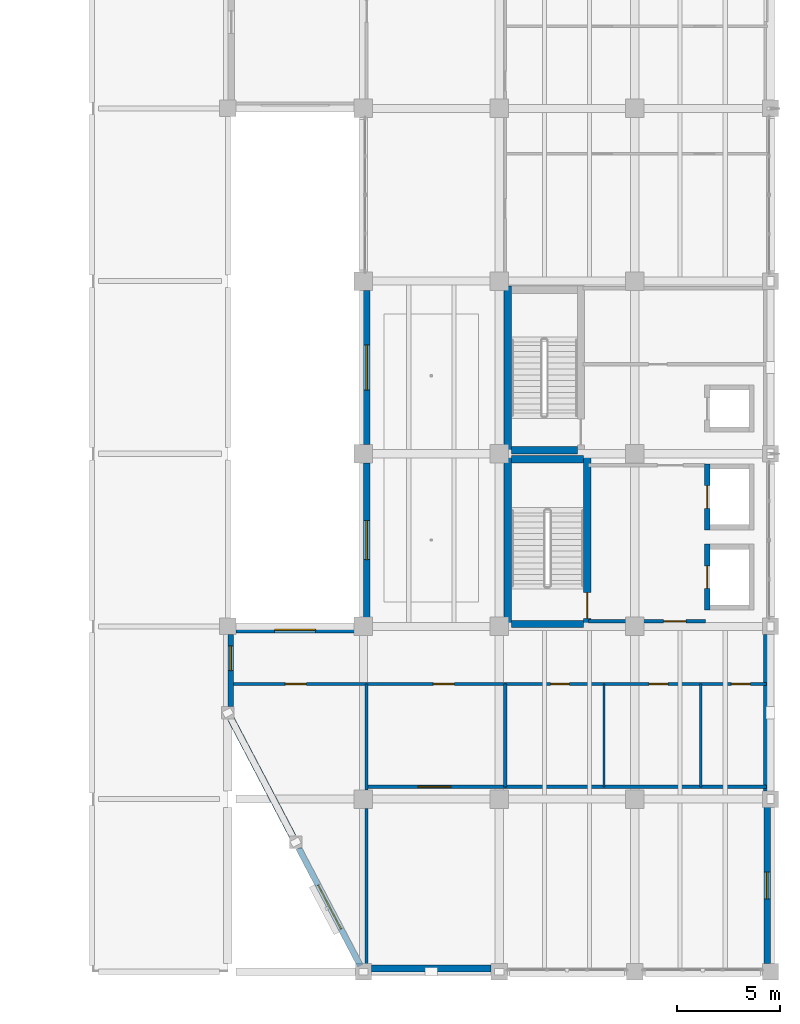
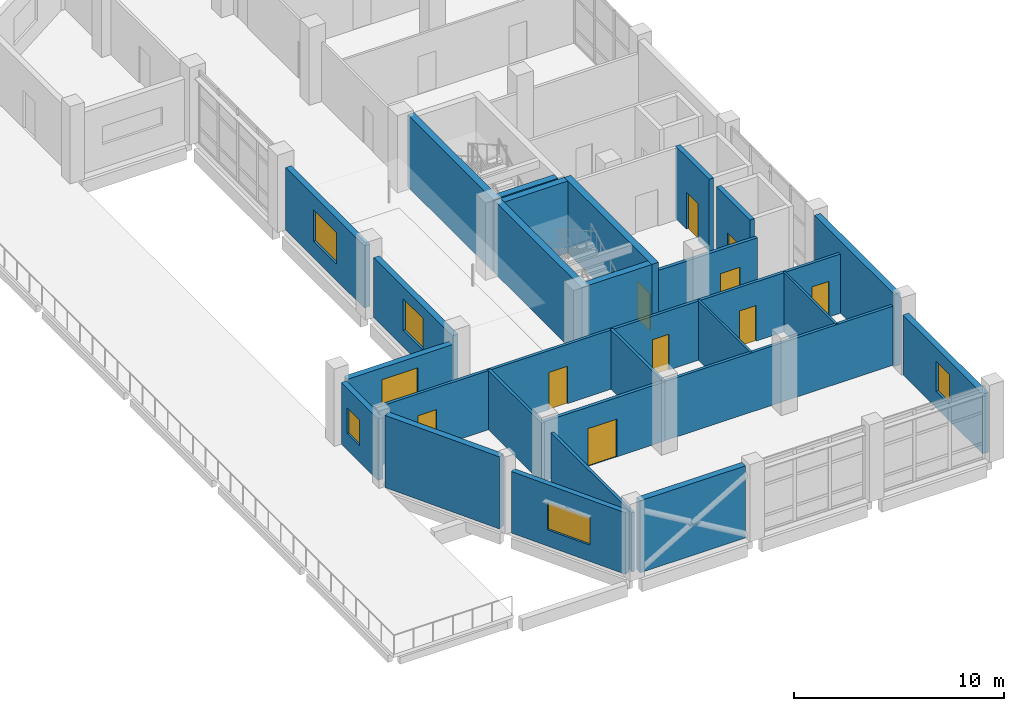
# One storey, part 56 of 83: 27 walls, 10 doors, 6 windows, 16 openings.
"""IFC4 building model written with IfcOpenShell, lengths in metres."""

from ifc_helpers import new_model, si_unit, direction, frame, frame_2d, origin, place, context, subcontext, project, spatial, rectangle, extrude, material, layer, layer_set, type_object, element, fill, save


model = new_model("IFC4")

# Units and contexts
model_context = context("Model", 3, precision=1e-05, world=origin(), true_north=direction((0.0, 1.0)))
body_context = subcontext(model_context, "Body", "Model", "MODEL_VIEW")
ifc_project = project(units=[si_unit("LENGTHUNIT", "METRE"), si_unit("AREAUNIT", "SQUARE_METRE"), si_unit("VOLUMEUNIT", "CUBIC_METRE"), si_unit("PLANEANGLEUNIT", "RADIAN"), si_unit("MASSUNIT", "GRAM", prefix="KILO")], contexts=[model_context])

# Site, building, storey
site_placement = place(None, origin())
site = spatial("IfcSite", under=ifc_project, at=site_placement, CompositionType="ELEMENT")
building_placement = place(site_placement, origin())
building = spatial("IfcBuilding", under=site, at=building_placement, Name="Qaldarim Faculty of Natural and Applied Sciences", CompositionType="ELEMENT")
storey_placement = place(building_placement, frame((0.0, 0.0, 5.39990234375)))
storey = spatial("IfcBuildingStorey", under=building, at=storey_placement, Name="L01", CompositionType="ELEMENT", Elevation=5.39990234375)

# Walls
ifc_material_1 = material(Name="Painted gypsum partition board")
ifc_layer_1 = layer(ifc_material_1, 0.1201171875)
ifc_layer_set_1 = layer_set([ifc_layer_1], Name="Painted gypsum partition board")
wall_type_1 = type_object("IfcWallType", Name="AcousticPartition-120", PredefinedType="PARTITIONING", material=ifc_layer_set_1)
for number, where, z_axis, x_axis, name in (
    (1, (170.10009765625, 9.0, 0.0), (0.0, 0.0, 1.0), (0.0, 1.0, 0.0), "Interior partition PRT-L01-V5-WCD1"),
    (2, (174.800048828125, 9.0, 0.0), (0.0, 0.0, 1.0), (0.0, 1.0, 0.0), "Interior partition PRT-L01-V5-WCD2"),
):
    element("IfcWall", number, at=place(storey_placement, frame(where, z_axis=z_axis, x_axis=x_axis)), inside=storey, type_object=wall_type_1, Name=name, PredefinedType="PARTITIONING", context=body_context, shape_type="SweptSolid", body=[
        extrude(rectangle(XDim=5.0, YDim=0.1201171875, at=frame_2d((2.5, 0.0))), origin(), (0.0, 0.0, 1.0), 3.4501953125),
    ])
ifc_material_2 = material(Name="Concrete C50/60", Category="concrete")
ifc_layer_2 = layer(ifc_material_2, 0.360107421875)
ifc_layer_set_2 = layer_set([ifc_layer_2], Name="Concrete C50/60")
wall_type_2 = type_object("IfcWallType", Name="CoreShearWall-360", PredefinedType="SHEAR", material=ifc_layer_set_2)
wall_1_placement = place(storey_placement, frame((165.419921875, 16.739990234375, 0.0), z_axis=(0.0, 0.0, 1.0), x_axis=(0.0, 1.0, 0.0)))
element("IfcWall", 3, at=wall_1_placement, inside=storey, type_object=wall_type_2, Name="Core stair ST-A1 west shear wall L01", PredefinedType="SHEAR", context=body_context, shape_type="SweptSolid", body=[
    extrude(rectangle(XDim=8.3701171875, YDim=0.360107421875, at=frame_2d((4.18505859375, 0.0))), origin(), (0.0, 0.0, 1.0), 4.2001953125),
])

# Wall, opening, door
wall_2_placement = place(storey_placement, frame((169.280029296875, 16.739990234375, 0.0), z_axis=(0.0, 0.0, 1.0), x_axis=(0.0, 1.0, 0.0)))
wall_2 = element("IfcWall", 4, at=wall_2_placement, inside=storey, type_object=wall_type_2, Name="Core stair ST-A1 east shear wall L01", PredefinedType="SHEAR", context=body_context, shape_type="SweptSolid", body=[
    extrude(rectangle(XDim=8.3701171875, YDim=0.360107421875, at=frame_2d((4.18505859375, 0.0))), origin(), (0.0, 0.0, 1.0), 4.2001953125),
])
opening_1_placement = place(wall_2_placement, frame((0.449951171875, 0.0, 0.0)))
opening_1 = element("IfcOpeningElement", 5, at=opening_1_placement, cuts=wall_2, Name="Opening ID04", PredefinedType="OPENING", context=body_context, shape_type="SweptSolid", body=[
    extrude(rectangle(XDim=1.25, YDim=2.14990234375, at=frame_2d((0.625, 1.074951171875))), frame((0.0, 0.18994140625, 0.0), z_axis=(0.0, -1.0, 0.0), x_axis=(1.0, 0.0, 0.0)), (0.0, 0.0, 1.0), 0.380126953125),
])
ifc_material_3 = material(Name="Architectural stainless steel 316", Category="steel")
door_type_1 = type_object("IfcDoorType", Name="StairEnclosureFireDoor-1250x2150", OperationType="NOTDEFINED", PredefinedType="DOOR", material=ifc_material_3)
door_1_placement = place(opening_1_placement, origin())
door_1 = element("IfcDoor", 6, at=door_1_placement, inside=storey, type_object=door_type_1, Name="Protected stair ST-A1 fire door D-L01-503", OperationType="SINGLE_SWING_LEFT", OverallHeight=2.14990234375, OverallWidth=1.25, PredefinedType="DOOR", context=body_context, shape_type="SweptSolid", body=[
    extrude(rectangle(XDim=1.25, YDim=2.14990234375, at=frame_2d((0.625, 1.074951171875))), frame((0.0, 0.02490234375, 0.0), z_axis=(0.0, -1.0, 0.0), x_axis=(1.0, 0.0, 0.0)), (0.0, 0.0, 1.0), 0.050048828125),
])
fill(opening_1, door_1)

# Walls
for number, where, z_axis, x_axis, name in (
    (7, (165.60009765625, 24.929931640625, 0.0), (0.0, 0.0, 1.0), (1.0, 0.0, 0.0), "Core stair ST-A1 north shear wall L01"),
    (8, (165.60009765625, 16.919921875, 0.0), (0.0, 0.0, 1.0), (1.0, 0.0, 0.0), "Core stair ST-A1 south shear wall L01"),
):
    element("IfcWall", number, at=place(storey_placement, frame(where, z_axis=z_axis, x_axis=x_axis)), inside=storey, type_object=wall_type_2, Name=name, PredefinedType="SHEAR", context=body_context, shape_type="SweptSolid", body=[
        extrude(rectangle(XDim=3.5, YDim=0.360107421875, at=frame_2d((1.75, 0.0))), origin(), (0.0, 0.0, 1.0), 4.2001953125),
    ])
wall_3_placement = place(storey_placement, frame((165.419921875, 25.18994140625, 0.0), z_axis=(0.0, 0.0, 1.0), x_axis=(0.0, 1.0, 0.0)))
element("IfcWall", 9, at=wall_3_placement, inside=storey, type_object=wall_type_2, Name="Core stair ST-A2 west shear wall L01", PredefinedType="SHEAR", context=body_context, shape_type="SweptSolid", body=[
    extrude(rectangle(XDim=8.170166015625, YDim=0.360107421875, at=frame_2d((4.0849609375, 0.0))), origin(), (0.0, 0.0, 1.0), 4.2001953125),
])
wall_4_placement = place(storey_placement, frame((165.60009765625, 25.3701171875, 0.0), z_axis=(0.0, 0.0, 1.0), x_axis=(1.0, 0.0, 0.0)))
element("IfcWall", 10, at=wall_4_placement, inside=storey, type_object=wall_type_2, Name="Core stair ST-A2 south shear wall L01", PredefinedType="SHEAR", context=body_context, shape_type="SweptSolid", body=[
    extrude(rectangle(XDim=3.199951171875, YDim=0.360107421875, at=frame_2d((1.60009765625, 0.0))), origin(), (0.0, 0.0, 1.0), 4.2001953125),
])

# Wall, opening, window
ifc_material_4 = material(Name="Precast concrete C40/50", Category="concrete")
ifc_layer_3 = layer(ifc_material_4, 0.320068359375)
ifc_layer_set_3 = layer_set([ifc_layer_3], Name="Precast concrete C40/50")
wall_type_3 = type_object("IfcWallType", Name="ExteriorLimestoneWall-320", PredefinedType="SOLIDWALL", material=ifc_layer_set_3)
wall_5_placement = place(storey_placement, frame((157.955078125, 16.639892578125, 0.0), z_axis=(0.0, 0.0, 1.0), x_axis=(-1.0, 0.0, 0.0)))
wall_5 = element("IfcWall", 11, at=wall_5_placement, inside=storey, type_object=wall_type_3, Name="Exterior wall EW01 L01 N X24Y02", PredefinedType="SOLIDWALL", context=body_context, shape_type="SweptSolid", body=[
    extrude(rectangle(XDim=5.760009765625, YDim=0.320068359375, at=frame_2d((2.8798828125, 0.0))), origin(), (0.0, 0.0, 1.0), 3.585205078125),
])
opening_2_placement = place(wall_5_placement, frame((1.8798828125, 0.0, 0.949951171875)))
opening_2 = element("IfcOpeningElement", 12, at=opening_2_placement, cuts=wall_5, Name="Opening WN27", PredefinedType="OPENING", context=body_context, shape_type="SweptSolid", body=[
    extrude(rectangle(XDim=2.0, YDim=1.949951171875, at=frame_2d((1.0, 0.97509765625))), frame((0.0, 0.169921875, 0.0), z_axis=(0.0, -1.0, 0.0), x_axis=(1.0, 0.0, 0.0)), (0.0, 0.0, 1.0), 0.340087890625),
])
ifc_material_5 = material(Name="Insulated low-e double glazing", Category="glass")
window_type_1 = type_object("IfcWindowType", Name="GalleryWindow-2000x1950", PartitioningType="DOUBLE_PANEL_VERTICAL", PredefinedType="WINDOW", material=ifc_material_5)
window_1_placement = place(opening_2_placement, origin())
window_1 = element("IfcWindow", 13, at=window_1_placement, inside=storey, type_object=window_type_1, Name="Facade window WN27 L01 N X24Y02", OverallHeight=1.949951171875, OverallWidth=2.0, PartitioningType="SINGLE_PANEL", PredefinedType="WINDOW", context=body_context, shape_type="SweptSolid", body=[
    extrude(rectangle(XDim=2.0, YDim=1.949951171875, at=frame_2d((1.0, 0.97509765625))), frame((0.0, 0.030029296875, 0.0), z_axis=(0.0, -1.0, 0.0), x_axis=(1.0, 0.0, 0.0)), (0.0, 0.0, 1.0), 0.06005859375),
])
fill(opening_2, window_1)

wall_6_placement = place(storey_placement, frame((158.56005859375, 24.7548828125, 0.0), z_axis=(0.0, 0.0, 1.0), x_axis=(0.0, -1.0, 0.0)))
wall_6 = element("IfcWall", 14, at=wall_6_placement, inside=storey, type_object=wall_type_3, Name="Exterior wall EW01 L01 W X25Y03", PredefinedType="SOLIDWALL", context=body_context, shape_type="SweptSolid", body=[
    extrude(rectangle(XDim=7.509765625, YDim=0.320068359375, at=frame_2d((3.7548828125, 0.0))), origin(), (0.0, 0.0, 1.0), 3.485107421875),
])
opening_3_placement = place(wall_6_placement, frame((2.804931640625, 0.0, 0.949951171875)))
opening_3 = element("IfcOpeningElement", 15, at=opening_3_placement, cuts=wall_6, Name="Opening WN20", PredefinedType="OPENING", context=body_context, shape_type="SweptSolid", body=[
    extrude(rectangle(XDim=1.89990234375, YDim=1.85009765625, at=frame_2d((0.949951171875, 0.925048828125))), frame((0.0, 0.169921875, 0.0), z_axis=(0.0, -1.0, 0.0), x_axis=(1.0, 0.0, 0.0)), (0.0, 0.0, 1.0), 0.340087890625),
])
window_type_2 = type_object("IfcWindowType", Name="StudyWindow-1900x1850", PartitioningType="DOUBLE_PANEL_VERTICAL", PredefinedType="WINDOW", material=ifc_material_5)
window_2_placement = place(opening_3_placement, origin())
window_2 = element("IfcWindow", 16, at=window_2_placement, inside=storey, type_object=window_type_2, Name="Facade window WN20 L01 W X25Y03", OverallHeight=1.85009765625, OverallWidth=1.89990234375, PartitioningType="SINGLE_PANEL", PredefinedType="WINDOW", context=body_context, shape_type="SweptSolid", body=[
    extrude(rectangle(XDim=1.89990234375, YDim=1.85009765625, at=frame_2d((0.949951171875, 0.925048828125))), frame((0.0, 0.030029296875, 0.0), z_axis=(0.0, -1.0, 0.0), x_axis=(1.0, 0.0, 0.0)), (0.0, 0.0, 1.0), 0.06005859375),
])
fill(opening_3, window_2)

wall_7_placement = place(storey_placement, frame((158.56005859375, 33.155029296875, 0.0), z_axis=(0.0, 0.0, 1.0), x_axis=(0.0, -1.0, 0.0)))
wall_7 = element("IfcWall", 17, at=wall_7_placement, inside=storey, type_object=wall_type_3, Name="Exterior wall EW01 L01 W X25Y04", PredefinedType="SOLIDWALL", context=body_context, shape_type="SweptSolid", body=[
    extrude(rectangle(XDim=7.510009765625, YDim=0.320068359375, at=frame_2d((3.7548828125, 0.0))), origin(), (0.0, 0.0, 1.0), 3.635009765625),
])
opening_4_placement = place(wall_7_placement, frame((2.655029296875, 0.0, 0.949951171875)))
opening_4 = element("IfcOpeningElement", 18, at=opening_4_placement, cuts=wall_7, Name="Opening WN21", PredefinedType="OPENING", context=body_context, shape_type="SweptSolid", body=[
    extrude(rectangle(XDim=2.199951171875, YDim=1.85009765625, at=frame_2d((1.10009765625, 0.925048828125))), frame((0.0, 0.169921875, 0.0), z_axis=(0.0, -1.0, 0.0), x_axis=(1.0, 0.0, 0.0)), (0.0, 0.0, 1.0), 0.340087890625),
])
window_type_3 = type_object("IfcWindowType", Name="StudyWindow-2200x1850", PartitioningType="TRIPLE_PANEL_VERTICAL", PredefinedType="WINDOW", material=ifc_material_5)
window_3_placement = place(opening_4_placement, origin())
window_3 = element("IfcWindow", 19, at=window_3_placement, inside=storey, type_object=window_type_3, Name="Facade window WN21 L01 W X25Y04", OverallHeight=1.85009765625, OverallWidth=2.199951171875, PartitioningType="SINGLE_PANEL", PredefinedType="WINDOW", context=body_context, shape_type="SweptSolid", body=[
    extrude(rectangle(XDim=2.199951171875, YDim=1.85009765625, at=frame_2d((1.10009765625, 0.925048828125))), frame((0.0, 0.030029296875, 0.0), z_axis=(0.0, -1.0, 0.0), x_axis=(1.0, 0.0, 0.0)), (0.0, 0.0, 1.0), 0.06005859375),
])
fill(opening_4, window_3)

wall_8_placement = place(storey_placement, frame((178.0400390625, 0.39501953125, 0.0), z_axis=(0.0, 0.0, 1.0), x_axis=(0.0, 1.0, 0.0)))
wall_8 = element("IfcWall", 20, at=wall_8_placement, inside=storey, type_object=wall_type_3, Name="Exterior wall EW01 L01 E X27Y01", PredefinedType="SOLIDWALL", context=body_context, shape_type="SweptSolid", body=[
    extrude(rectangle(XDim=7.60986328125, YDim=0.320068359375, at=frame_2d((3.804931640625, 0.0))), origin(), (0.0, 0.0, 1.0), 3.485107421875),
])
opening_5_placement = place(wall_8_placement, frame((3.155029296875, 0.0, 0.949951171875)))
opening_5 = element("IfcOpeningElement", 21, at=opening_5_placement, cuts=wall_8, Name="Opening WN18", PredefinedType="OPENING", context=body_context, shape_type="SweptSolid", body=[
    extrude(rectangle(XDim=1.300048828125, YDim=1.75, at=frame_2d((0.64990234375, 0.875))), frame((0.0, 0.169921875, 0.0), z_axis=(0.0, -1.0, 0.0), x_axis=(1.0, 0.0, 0.0)), (0.0, 0.0, 1.0), 0.340087890625),
])
window_type_4 = type_object("IfcWindowType", Name="StudyWindow-1300x1750", PartitioningType="SINGLE_PANEL", PredefinedType="WINDOW", material=ifc_material_5)
window_4_placement = place(opening_5_placement, origin())
window_4 = element("IfcWindow", 22, at=window_4_placement, inside=storey, type_object=window_type_4, Name="Facade window WN18 L01 E X27Y01", OverallHeight=1.75, OverallWidth=1.300048828125, PartitioningType="SINGLE_PANEL", PredefinedType="WINDOW", context=body_context, shape_type="SweptSolid", body=[
    extrude(rectangle(XDim=1.300048828125, YDim=1.75, at=frame_2d((0.64990234375, 0.875))), frame((0.0, 0.030029296875, 0.0), z_axis=(0.0, -1.0, 0.0), x_axis=(1.0, 0.0, 0.0)), (0.0, 0.0, 1.0), 0.06005859375),
])
fill(opening_5, window_4)

ifc_layer_4 = layer(ifc_material_4, 0.280029296875)
ifc_layer_set_4 = layer_set([ifc_layer_4], Name="Precast concrete C40/50")
wall_type_4 = type_object("IfcWallType", Name="ExteriorSpandrelWall-280", PredefinedType="SOLIDWALL", material=ifc_layer_set_4)
wall_9_placement = place(storey_placement, frame((151.93994140625, 16.405029296875, 0.0), z_axis=(0.0, 0.0, 1.0), x_axis=(0.0, -1.0, 0.0)))
wall_9 = element("IfcWall", 23, at=wall_9_placement, inside=storey, type_object=wall_type_4, Name="Oblique SW chamfer return facade wall L01", PredefinedType="SOLIDWALL", context=body_context, shape_type="SweptSolid", body=[
    extrude(rectangle(XDim=3.510009765625, YDim=0.280029296875, at=frame_2d((1.7548828125, 0.0))), origin(), (0.0, 0.0, 1.0), 3.585205078125),
])
opening_6_placement = place(wall_9_placement, frame((0.550048828125, 0.0, 0.949951171875)))
opening_6 = element("IfcOpeningElement", 24, at=opening_6_placement, cuts=wall_9, Name="Opening WN01", PredefinedType="OPENING", context=body_context, shape_type="SweptSolid", body=[
    extrude(rectangle(XDim=1.199951171875, YDim=1.5, at=frame_2d((0.60009765625, 0.75))), frame((0.0, 0.14990234375, 0.0), z_axis=(0.0, -1.0, 0.0), x_axis=(1.0, 0.0, 0.0)), (0.0, 0.0, 1.0), 0.300048828125),
])
window_type_5 = type_object("IfcWindowType", Name="Window-1200x1500", PartitioningType="SINGLE_PANEL", PredefinedType="WINDOW", material=ifc_material_5)
window_5_placement = place(opening_6_placement, origin())
window_5 = element("IfcWindow", 25, at=window_5_placement, inside=storey, type_object=window_type_5, Name="Oblique SW return window L01", OverallHeight=1.5, OverallWidth=1.199951171875, PartitioningType="SINGLE_PANEL", PredefinedType="WINDOW", context=body_context, shape_type="SweptSolid", body=[
    extrude(rectangle(XDim=1.199951171875, YDim=1.5, at=frame_2d((0.60009765625, 0.75))), frame((0.0, 0.030029296875, 0.0), z_axis=(0.0, -1.0, 0.0), x_axis=(1.0, 0.0, 0.0)), (0.0, 0.0, 1.0), 0.06005859375),
])
fill(opening_6, window_5)

wall_10_placement = place(storey_placement, frame((155.25, 6.010009765625, 0.0), z_axis=(0.0, 0.0, 1.0), x_axis=(0.464471613901, -0.885588007981, 0.0)))
wall_10 = element("IfcWall", 26, at=wall_10_placement, inside=storey, type_object=wall_type_4, Name="Oblique SW chamfer fenestrated wall L01 2", PredefinedType="SOLIDWALL", context=body_context, shape_type="SweptSolid", body=[
    extrude(rectangle(XDim=6.458984375, YDim=0.280029296875, at=frame_2d((3.2294921875, 0.0))), origin(), (0.0, 0.0, 1.0), 3.585205078125),
])
opening_7_placement = place(wall_10_placement, frame((2.030029296875, 0.0, 0.949951171875)))
opening_7 = element("IfcOpeningElement", 27, at=opening_7_placement, cuts=wall_10, Name="Opening WN03", PredefinedType="OPENING", context=body_context, shape_type="SweptSolid", body=[
    extrude(rectangle(XDim=2.39990234375, YDim=1.60009765625, at=frame_2d((1.199951171875, 0.800048828125))), frame((0.0, 0.14990234375, 0.0), z_axis=(0.0, -1.0, 0.0), x_axis=(1.0, 0.0, 0.0)), (0.0, 0.0, 1.0), 0.300048828125),
])
window_type_6 = type_object("IfcWindowType", Name="Window-2400x1600", PartitioningType="TRIPLE_PANEL_VERTICAL", PredefinedType="WINDOW", material=ifc_material_5)
window_6_placement = place(opening_7_placement, origin())
window_6 = element("IfcWindow", 28, at=window_6_placement, inside=storey, type_object=window_type_6, Name="Oblique SW chamfer window L01 2", OverallHeight=1.60009765625, OverallWidth=2.39990234375, PartitioningType="SINGLE_PANEL", PredefinedType="WINDOW", context=body_context, shape_type="SweptSolid", body=[
    extrude(rectangle(XDim=2.39990234375, YDim=1.60009765625, at=frame_2d((1.199951171875, 0.800048828125))), frame((0.0, 0.030029296875, 0.0), z_axis=(0.0, -1.0, 0.0), x_axis=(1.0, 0.0, 0.0)), (0.0, 0.0, 1.0), 0.06005859375),
])
fill(opening_7, window_6)

# Walls
ifc_layer_5 = layer(ifc_material_2, 0.340087890625)
ifc_layer_set_5 = layer_set([ifc_layer_5], Name="Concrete C50/60")
wall_type_5 = type_object("IfcWallType", Name="ExteriorStairShearWall-340", PredefinedType="SHEAR", material=ifc_layer_set_5)
wall_11_placement = place(storey_placement, frame((158.794921875, 0.169921875, 0.0), z_axis=(0.0, 0.0, 1.0), x_axis=(1.0, 0.0, 0.0)))
element("IfcWall", 29, at=wall_11_placement, inside=storey, type_object=wall_type_5, Name="Exterior wall EW05 L01 S X25Y01", PredefinedType="SHEAR", context=body_context, shape_type="SweptSolid", body=[
    extrude(rectangle(XDim=5.81005859375, YDim=0.340087890625, at=frame_2d((2.905029296875, 0.0))), origin(), (0.0, 0.0, 1.0), 4.2001953125),
])
wall_12_placement = place(storey_placement, frame((178.030029296875, 8.794921875, 0.0), z_axis=(0.0, 0.0, 1.0), x_axis=(0.0, 1.0, 0.0)))
element("IfcWall", 30, at=wall_12_placement, inside=storey, type_object=wall_type_5, Name="Exterior wall EW05 L01 E X27Y02", PredefinedType="SHEAR", context=body_context, shape_type="SweptSolid", body=[
    extrude(rectangle(XDim=7.610107421875, YDim=0.340087890625, at=frame_2d((3.80517578125, 0.0))), origin(), (0.0, 0.0, 1.0), 4.2001953125),
])
wall_13_placement = place(storey_placement, frame((151.949951171875, 12.31005859375, 0.0), z_axis=(0.0, 0.0, 1.0), x_axis=(0.464471613901, -0.885588007981, 0.0)))
element("IfcWall", 31, at=wall_13_placement, inside=storey, type_object=wall_type_5, Name="Oblique SW chamfer braced wall L01 1", PredefinedType="SHEAR", context=body_context, shape_type="SweptSolid", body=[
    extrude(rectangle(XDim=6.458984375, YDim=0.340087890625, at=frame_2d((3.2294921875, 0.0))), origin(), (0.0, 0.0, 1.0), 4.2001953125),
])

# Wall, openings, doors
ifc_material_6 = material(Name="Concrete C40/50", Category="concrete")
ifc_layer_6 = layer(ifc_material_6, 0.159912109375)
ifc_layer_set_6 = layer_set([ifc_layer_6], Name="Concrete C40/50")
wall_type_6 = type_object("IfcWallType", Name="FireCorridorWall-160", PredefinedType="PARTITIONING", material=ifc_layer_set_6)
wall_14_placement = place(storey_placement, frame((165.300048828125, 14.0, 0.0), z_axis=(0.0, 0.0, 1.0), x_axis=(1.0, 0.0, 0.0)))
wall_14 = element("IfcWall", 32, at=wall_14_placement, inside=storey, type_object=wall_type_6, Name="Interior partition PRT-L01-V5-WCN", PredefinedType="PARTITIONING", context=body_context, shape_type="SweptSolid", body=[
    extrude(rectangle(XDim=12.699951171875, YDim=0.159912109375, at=frame_2d((6.35009765625, 0.0))), origin(), (0.0, 0.0, 1.0), 3.4501953125),
])
opening_8_placement = place(wall_14_placement, frame((2.199951171875, 0.0, 0.0)))
opening_8 = element("IfcOpeningElement", 33, at=opening_8_placement, cuts=wall_14, Name="Opening ID14", PredefinedType="OPENING", context=body_context, shape_type="SweptSolid", body=[
    extrude(rectangle(XDim=0.919921875, YDim=2.080078125, at=frame_2d((0.4599609375, 1.0400390625))), frame((0.0, 0.08984375, 0.0), z_axis=(0.0, -1.0, 0.0), x_axis=(1.0, 0.0, 0.0)), (0.0, 0.0, 1.0), 0.179931640625),
])
opening_9_placement = place(wall_14_placement, frame((7.0, 0.0, 0.0)))
opening_9 = element("IfcOpeningElement", 34, at=opening_9_placement, cuts=wall_14, Name="Opening ID14", PredefinedType="OPENING", context=body_context, shape_type="SweptSolid", body=[
    extrude(rectangle(XDim=0.919921875, YDim=2.080078125, at=frame_2d((0.4599609375, 1.0400390625))), frame((0.0, 0.08984375, 0.0), z_axis=(0.0, -1.0, 0.0), x_axis=(1.0, 0.0, 0.0)), (0.0, 0.0, 1.0), 0.179931640625),
])
opening_10_placement = place(wall_14_placement, frame((11.0, 0.0, 0.0)))
opening_10 = element("IfcOpeningElement", 35, at=opening_10_placement, cuts=wall_14, Name="Opening ID14", PredefinedType="OPENING", context=body_context, shape_type="SweptSolid", body=[
    extrude(rectangle(XDim=0.919921875, YDim=2.080078125, at=frame_2d((0.4599609375, 1.0400390625))), frame((0.0, 0.08984375, 0.0), z_axis=(0.0, -1.0, 0.0), x_axis=(1.0, 0.0, 0.0)), (0.0, 0.0, 1.0), 0.179931640625),
])
ifc_material_7 = material(Name="Oak hardwood", Category="wood")
door_type_2 = type_object("IfcDoorType", Name="WashroomDoor-920x2080", OperationType="NOTDEFINED", PredefinedType="DOOR", material=ifc_material_7)
door_2_placement = place(opening_8_placement, origin())
door_2 = element("IfcDoor", 36, at=door_2_placement, inside=storey, type_object=door_type_2, Name="Interior door D-L01-107", OperationType="SINGLE_SWING_LEFT", OverallHeight=2.080078125, OverallWidth=0.919921875, PredefinedType="DOOR", context=body_context, shape_type="SweptSolid", body=[
    extrude(rectangle(XDim=0.919921875, YDim=2.080078125, at=frame_2d((0.4599609375, 1.0400390625))), frame((0.0, 0.02490234375, 0.0), z_axis=(0.0, -1.0, 0.0), x_axis=(1.0, 0.0, 0.0)), (0.0, 0.0, 1.0), 0.050048828125),
])
fill(opening_8, door_2)
door_3_placement = place(opening_9_placement, origin())
door_3 = element("IfcDoor", 37, at=door_3_placement, inside=storey, type_object=door_type_2, Name="Interior door D-L01-108", OperationType="SINGLE_SWING_RIGHT", OverallHeight=2.080078125, OverallWidth=0.919921875, PredefinedType="DOOR", context=body_context, shape_type="SweptSolid", body=[
    extrude(rectangle(XDim=0.919921875, YDim=2.080078125, at=frame_2d((0.4599609375, 1.0400390625))), frame((0.0, 0.02490234375, 0.0), z_axis=(0.0, -1.0, 0.0), x_axis=(1.0, 0.0, 0.0)), (0.0, 0.0, 1.0), 0.050048828125),
])
fill(opening_9, door_3)
door_4_placement = place(opening_10_placement, origin())
door_4 = element("IfcDoor", 38, at=door_4_placement, inside=storey, type_object=door_type_2, Name="Interior door D-L01-109", OperationType="SINGLE_SWING_LEFT", OverallHeight=2.080078125, OverallWidth=0.919921875, PredefinedType="DOOR", context=body_context, shape_type="SweptSolid", body=[
    extrude(rectangle(XDim=0.919921875, YDim=2.080078125, at=frame_2d((0.4599609375, 1.0400390625))), frame((0.0, 0.02490234375, 0.0), z_axis=(0.0, -1.0, 0.0), x_axis=(1.0, 0.0, 0.0)), (0.0, 0.0, 1.0), 0.050048828125),
])
fill(opening_10, door_4)

# Walls
wall_15_placement = place(storey_placement, frame((165.300048828125, 9.0, 0.0), z_axis=(0.0, 0.0, 1.0), x_axis=(1.0, 0.0, 0.0)))
element("IfcWall", 39, at=wall_15_placement, inside=storey, type_object=wall_type_6, Name="Interior partition PRT-L01-V5-WCS", PredefinedType="PARTITIONING", context=body_context, shape_type="SweptSolid", body=[
    extrude(rectangle(XDim=12.699951171875, YDim=0.159912109375, at=frame_2d((6.35009765625, 0.0))), origin(), (0.0, 0.0, 1.0), 3.4501953125),
])
wall_16_placement = place(storey_placement, frame((165.300048828125, 9.0, 0.0), z_axis=(0.0, 0.0, 1.0), x_axis=(0.0, 1.0, 0.0)))
element("IfcWall", 40, at=wall_16_placement, inside=storey, type_object=wall_type_6, Name="Interior partition PRT-L01-V5-WCW", PredefinedType="PARTITIONING", context=body_context, shape_type="SweptSolid", body=[
    extrude(rectangle(XDim=5.0, YDim=0.159912109375, at=frame_2d((2.5, 0.0))), origin(), (0.0, 0.0, 1.0), 3.4501953125),
])
wall_17_placement = place(storey_placement, frame((158.550048828125, 0.25, 0.0), z_axis=(0.0, 0.0, 1.0), x_axis=(0.0, 1.0, 0.0)))
element("IfcWall", 41, at=wall_17_placement, inside=storey, type_object=wall_type_6, Name="Interior partition PRT-L01-V5-SWSE-S1", PredefinedType="PARTITIONING", context=body_context, shape_type="SweptSolid", body=[
    extrude(rectangle(XDim=7.699951171875, YDim=0.159912109375, at=frame_2d((3.85009765625, 0.0))), origin(), (0.0, 0.0, 1.0), 3.4501953125),
])
wall_18_placement = place(storey_placement, frame((158.550048828125, 8.85009765625, 0.0), z_axis=(0.0, 0.0, 1.0), x_axis=(0.0, 1.0, 0.0)))
element("IfcWall", 42, at=wall_18_placement, inside=storey, type_object=wall_type_6, Name="Interior partition PRT-L01-V5-SWSE-S2", PredefinedType="PARTITIONING", context=body_context, shape_type="SweptSolid", body=[
    extrude(rectangle(XDim=5.14990234375, YDim=0.159912109375, at=frame_2d((2.574951171875, 0.0))), origin(), (0.0, 0.0, 1.0), 3.4501953125),
])

# Wall, openings, doors
wall_19_placement = place(storey_placement, frame((152.0, 14.0, 0.0), z_axis=(0.0, 0.0, 1.0), x_axis=(1.0, 0.0, 0.0)))
wall_19 = element("IfcWall", 43, at=wall_19_placement, inside=storey, type_object=wall_type_6, Name="Interior partition PRT-L01-V5-MIDN", PredefinedType="PARTITIONING", context=body_context, shape_type="SweptSolid", body=[
    extrude(rectangle(XDim=13.300048828125, YDim=0.159912109375, at=frame_2d((6.64990234375, 0.0))), origin(), (0.0, 0.0, 1.0), 3.4501953125),
])
opening_11_placement = place(wall_19_placement, frame((2.60009765625, 0.0, 0.0)))
opening_11 = element("IfcOpeningElement", 44, at=opening_11_placement, cuts=wall_19, Name="Opening ID16", PredefinedType="OPENING", context=body_context, shape_type="SweptSolid", body=[
    extrude(rectangle(XDim=1.02001953125, YDim=2.179931640625, at=frame_2d((0.510009765625, 1.08984375))), frame((0.0, 0.08984375, 0.0), z_axis=(0.0, -1.0, 0.0), x_axis=(1.0, 0.0, 0.0)), (0.0, 0.0, 1.0), 0.179931640625),
])
opening_12_placement = place(wall_19_placement, frame((9.800048828125, 0.0, 0.0)))
opening_12 = element("IfcOpeningElement", 45, at=opening_12_placement, cuts=wall_19, Name="Opening ID16", PredefinedType="OPENING", context=body_context, shape_type="SweptSolid", body=[
    extrude(rectangle(XDim=1.02001953125, YDim=2.179931640625, at=frame_2d((0.510009765625, 1.08984375))), frame((0.0, 0.08984375, 0.0), z_axis=(0.0, -1.0, 0.0), x_axis=(1.0, 0.0, 0.0)), (0.0, 0.0, 1.0), 0.179931640625),
])
door_type_3 = type_object("IfcDoorType", Name="StudyPodDoor-1020x2180", OperationType="NOTDEFINED", PredefinedType="DOOR", material=ifc_material_7)
door_5_placement = place(opening_11_placement, origin())
door_5 = element("IfcDoor", 46, at=door_5_placement, inside=storey, type_object=door_type_3, Name="Interior door D-L01-407", OperationType="SINGLE_SWING_LEFT", OverallHeight=2.179931640625, OverallWidth=1.02001953125, PredefinedType="DOOR", context=body_context, shape_type="SweptSolid", body=[
    extrude(rectangle(XDim=1.02001953125, YDim=2.179931640625, at=frame_2d((0.510009765625, 1.08984375))), frame((0.0, 0.02490234375, 0.0), z_axis=(0.0, -1.0, 0.0), x_axis=(1.0, 0.0, 0.0)), (0.0, 0.0, 1.0), 0.050048828125),
])
fill(opening_11, door_5)
door_6_placement = place(opening_12_placement, origin())
door_6 = element("IfcDoor", 47, at=door_6_placement, inside=storey, type_object=door_type_3, Name="Interior door D-L01-408", OperationType="SINGLE_SWING_RIGHT", OverallHeight=2.179931640625, OverallWidth=1.02001953125, PredefinedType="DOOR", context=body_context, shape_type="SweptSolid", body=[
    extrude(rectangle(XDim=1.02001953125, YDim=2.179931640625, at=frame_2d((0.510009765625, 1.08984375))), frame((0.0, 0.02490234375, 0.0), z_axis=(0.0, -1.0, 0.0), x_axis=(1.0, 0.0, 0.0)), (0.0, 0.0, 1.0), 0.050048828125),
])
fill(opening_12, door_6)

# Wall, opening, door
ifc_layer_7 = layer(ifc_material_6, 0.179931640625)
ifc_layer_set_7 = layer_set([ifc_layer_7], Name="Concrete C40/50")
wall_type_7 = type_object("IfcWallType", Name="LabFireCompartmentWall-180", PredefinedType="SOLIDWALL", material=ifc_layer_set_7)
wall_20_placement = place(storey_placement, frame((158.550048828125, 9.0, 0.0), z_axis=(0.0, 0.0, 1.0), x_axis=(1.0, 0.0, 0.0)))
wall_20 = element("IfcWall", 48, at=wall_20_placement, inside=storey, type_object=wall_type_7, Name="Interior partition PRT-L01-V5-TEMN", PredefinedType="SOLIDWALL", context=body_context, shape_type="SweptSolid", body=[
    extrude(rectangle(XDim=6.75, YDim=0.179931640625, at=frame_2d((3.375, 0.0))), origin(), (0.0, 0.0, 1.0), 3.4501953125),
])
opening_13_placement = place(wall_20_placement, frame((2.5, 0.0, 0.0)))
opening_13 = element("IfcOpeningElement", 49, at=opening_13_placement, cuts=wall_20, Name="Opening ID06", PredefinedType="OPENING", context=body_context, shape_type="SweptSolid", body=[
    extrude(rectangle(XDim=1.60009765625, YDim=2.199951171875, at=frame_2d((0.800048828125, 1.10009765625))), frame((0.0, 0.099853515625, 0.0), z_axis=(0.0, -1.0, 0.0), x_axis=(1.0, 0.0, 0.0)), (0.0, 0.0, 1.0), 0.199951171875),
])
door_type_4 = type_object("IfcDoorType", Name="LabEquipmentDoubleDoor-1600x2200", OperationType="NOTDEFINED", PredefinedType="DOOR", material=ifc_material_3)
door_7_placement = place(opening_13_placement, origin())
door_7 = element("IfcDoor", 50, at=door_7_placement, inside=storey, type_object=door_type_4, Name="Interior door D-L01-200", OperationType="DOUBLE_DOOR_SINGLE_SWING", OverallHeight=2.199951171875, OverallWidth=1.60009765625, PredefinedType="DOOR", context=body_context, shape_type="SweptSolid", body=[
    extrude(rectangle(XDim=1.60009765625, YDim=2.199951171875, at=frame_2d((0.800048828125, 1.10009765625))), frame((0.0, 0.02490234375, 0.0), z_axis=(0.0, -1.0, 0.0), x_axis=(1.0, 0.0, 0.0)), (0.0, 0.0, 1.0), 0.050048828125),
])
fill(opening_13, door_7)

wall_21_placement = place(storey_placement, frame((169.35009765625, 17.06005859375, 0.0), z_axis=(0.0, 0.0, 1.0), x_axis=(1.0, 0.0, 0.0)))
wall_21 = element("IfcWall", 51, at=wall_21_placement, inside=storey, type_object=wall_type_7, Name="Fire-fighting lobby south wall Core A L01", PredefinedType="SOLIDWALL", context=body_context, shape_type="SweptSolid", body=[
    extrude(rectangle(XDim=5.699951171875, YDim=0.179931640625, at=frame_2d((2.85009765625, 0.0))), origin(), (0.0, 0.0, 1.0), 3.53515625),
])
opening_14_placement = place(wall_21_placement, frame((3.64990234375, 0.0, 0.0)))
opening_14 = element("IfcOpeningElement", 52, at=opening_14_placement, cuts=wall_21, Name="Opening ID03", PredefinedType="OPENING", context=body_context, shape_type="SweptSolid", body=[
    extrude(rectangle(XDim=1.10009765625, YDim=2.14990234375, at=frame_2d((0.550048828125, 1.074951171875))), frame((0.0, 0.099853515625, 0.0), z_axis=(0.0, -1.0, 0.0), x_axis=(1.0, 0.0, 0.0)), (0.0, 0.0, 1.0), 0.199951171875),
])
door_type_5 = type_object("IfcDoorType", Name="FireLobbyDoor-1100x2150", OperationType="NOTDEFINED", PredefinedType="DOOR", material=ifc_material_7)
door_8_placement = place(opening_14_placement, origin())
door_8 = element("IfcDoor", 53, at=door_8_placement, inside=storey, type_object=door_type_5, Name="Fire-fighting lobby corridor door Core A D-L01-601", OperationType="SINGLE_SWING_LEFT", OverallHeight=2.14990234375, OverallWidth=1.10009765625, PredefinedType="DOOR", context=body_context, shape_type="SweptSolid", body=[
    extrude(rectangle(XDim=1.10009765625, YDim=2.14990234375, at=frame_2d((0.550048828125, 1.074951171875))), frame((0.0, 0.02490234375, 0.0), z_axis=(0.0, -1.0, 0.0), x_axis=(1.0, 0.0, 0.0)), (0.0, 0.0, 1.0), 0.050048828125),
])
fill(opening_14, door_8)

ifc_layer_8 = layer(ifc_material_6, 0.25)
ifc_layer_set_8 = layer_set([ifc_layer_8], Name="Concrete C40/50")
wall_type_8 = type_object("IfcWallType", Name="LiftShaftWall-250", PredefinedType="SHEAR", material=ifc_layer_set_8)
wall_22_placement = place(storey_placement, frame((175.125, 17.60009765625, 0.0), z_axis=(0.0, 0.0, 1.0), x_axis=(0.0, 1.0, 0.0)))
wall_22 = element("IfcWall", 54, at=wall_22_placement, inside=storey, type_object=wall_type_8, Name="Lift LF-A1 front shaft wall L01", PredefinedType="SHEAR", context=body_context, shape_type="SweptSolid", body=[
    extrude(rectangle(XDim=3.199951171875, YDim=0.25, at=frame_2d((1.60009765625, 0.0))), origin(), (0.0, 0.0, 1.0), 4.2001953125),
])
opening_15_placement = place(wall_22_placement, frame((1.050048828125, 0.0, 0.0)))
opening_15 = element("IfcOpeningElement", 55, at=opening_15_placement, cuts=wall_22, Name="Opening LD01", PredefinedType="OPENING", context=body_context, shape_type="SweptSolid", body=[
    extrude(rectangle(XDim=1.10009765625, YDim=2.14990234375, at=frame_2d((0.550048828125, 1.074951171875))), frame((0.0, 0.135009765625, 0.0), z_axis=(0.0, -1.0, 0.0), x_axis=(1.0, 0.0, 0.0)), (0.0, 0.0, 1.0), 0.27001953125),
])
door_type_6 = type_object("IfcDoorType", Name="LiftLandingSlidingDoor-1100x2150", OperationType="NOTDEFINED", PredefinedType="DOOR", material=ifc_material_3)
door_9_placement = place(opening_15_placement, origin())
door_9 = element("IfcDoor", 56, at=door_9_placement, inside=storey, type_object=door_type_6, Name="Lift landing sliding door LF-A1 D-L01-559", OperationType="SLIDING_TO_LEFT", OverallHeight=2.14990234375, OverallWidth=1.10009765625, PredefinedType="DOOR", context=body_context, shape_type="SweptSolid", body=[
    extrude(rectangle(XDim=1.10009765625, YDim=2.14990234375, at=frame_2d((0.550048828125, 1.074951171875))), frame((0.0, 0.02490234375, 0.0), z_axis=(0.0, -1.0, 0.0), x_axis=(1.0, 0.0, 0.0)), (0.0, 0.0, 1.0), 0.050048828125),
])
fill(opening_15, door_9)

wall_23_placement = place(storey_placement, frame((175.125, 21.5, 0.0), z_axis=(0.0, 0.0, 1.0), x_axis=(0.0, 1.0, 0.0)))
wall_23 = element("IfcWall", 57, at=wall_23_placement, inside=storey, type_object=wall_type_8, Name="Lift LF-A2 front shaft wall L01", PredefinedType="SHEAR", context=body_context, shape_type="SweptSolid", body=[
    extrude(rectangle(XDim=3.199951171875, YDim=0.25, at=frame_2d((1.60009765625, 0.0))), origin(), (0.0, 0.0, 1.0), 4.2001953125),
])
opening_16_placement = place(wall_23_placement, frame((1.050048828125, 0.0, 0.0)))
opening_16 = element("IfcOpeningElement", 58, at=opening_16_placement, cuts=wall_23, Name="Opening LD01", PredefinedType="OPENING", context=body_context, shape_type="SweptSolid", body=[
    extrude(rectangle(XDim=1.10009765625, YDim=2.14990234375, at=frame_2d((0.550048828125, 1.074951171875))), frame((0.0, 0.135009765625, 0.0), z_axis=(0.0, -1.0, 0.0), x_axis=(1.0, 0.0, 0.0)), (0.0, 0.0, 1.0), 0.27001953125),
])
door_10_placement = place(opening_16_placement, origin())
door_10 = element("IfcDoor", 59, at=door_10_placement, inside=storey, type_object=door_type_6, Name="Lift landing sliding door LF-A2 D-L01-572", OperationType="SLIDING_TO_LEFT", OverallHeight=2.14990234375, OverallWidth=1.10009765625, PredefinedType="DOOR", context=body_context, shape_type="SweptSolid", body=[
    extrude(rectangle(XDim=1.10009765625, YDim=2.14990234375, at=frame_2d((0.550048828125, 1.074951171875))), frame((0.0, 0.02490234375, 0.0), z_axis=(0.0, -1.0, 0.0), x_axis=(1.0, 0.0, 0.0)), (0.0, 0.0, 1.0), 0.050048828125),
])
fill(opening_16, door_10)

save(model, "model.ifc")
